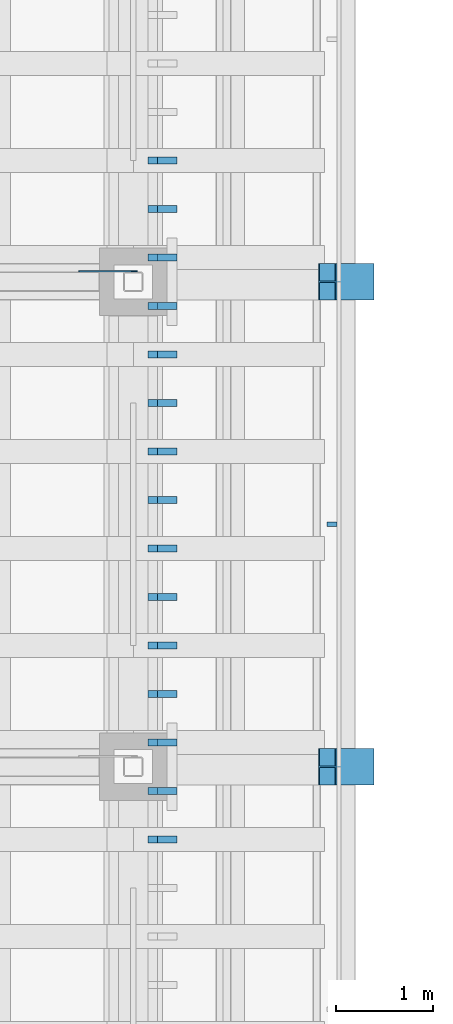
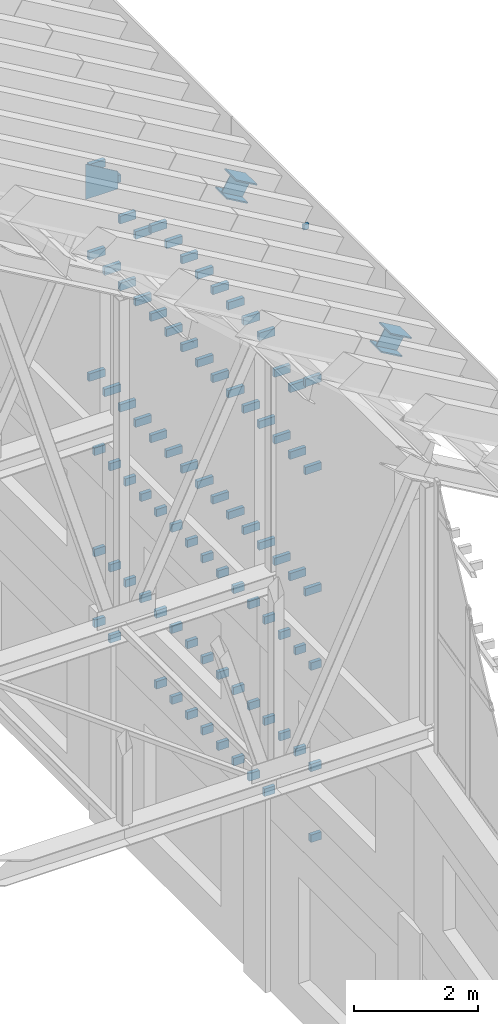
# One storey, part 73 of 105: 90 discrete accessories.
"""IFC4 building model written with IfcOpenShell, lengths in metres."""

from ifc_helpers import new_model, si_unit, direction, frame, origin, origin_2d, place, context, subcontext, project, spatial, polyline, rectangle, i_section, outline, extrude, material, material_profile, profile_set, type_object, element, save


model = new_model("IFC4")

# Units and contexts
model_context = context("Model", 3, precision=1e-05, world=origin(), true_north=direction((0.0, 1.0)))
body_context = subcontext(model_context, "Body", "Model", "MODEL_VIEW")
ifc_project = project(units=[si_unit("LENGTHUNIT", "METRE"), si_unit("AREAUNIT", "SQUARE_METRE"), si_unit("VOLUMEUNIT", "CUBIC_METRE"), si_unit("PLANEANGLEUNIT", "RADIAN"), si_unit("MASSUNIT", "GRAM", prefix="KILO")], contexts=[model_context])

# Site, building, storey
site_placement = place(None, origin())
site = spatial("IfcSite", under=ifc_project, at=site_placement, CompositionType="ELEMENT")
building_placement = place(site_placement, origin())
building = spatial("IfcBuilding", under=site, at=building_placement, Name="Wasatch Bagh Community Centre", CompositionType="ELEMENT")
storey_placement = place(building_placement, frame((0.0, 0.0, 16.800048828125)))
storey = spatial("IfcBuildingStorey", under=building, at=storey_placement, Name="L04", CompositionType="ELEMENT", Elevation=16.800048828125)

# Discrete accessories
ifc_material_1 = material(Name="ASTM A36 steel", Category="steel")
discrete_accessory_type_1 = type_object("IfcDiscreteAccessoryType", Name="MH fascia bracket", PredefinedType="BRACKET", material=ifc_material_1)
discrete_accessory_1_placement = place(storey_placement, frame((56.800048828125, 42.5, 12.537353515625), z_axis=(0.0, 0.0, 1.0), x_axis=(1.0, 0.0, 0.0)))
element("IfcDiscreteAccessory", 1, at=discrete_accessory_1_placement, inside=storey, type_object=discrete_accessory_type_1, Name="Fascia bracket 165", PredefinedType="BRACKET", context=body_context, shape_type="SweptSolid", body=[
    extrude(rectangle(XDim=0.10009765625, YDim=0.050048828125, at=origin_2d()), origin(), (0.0, 0.0, 1.0), 0.10009765625),
])
discrete_accessory_type_2 = type_object("IfcDiscreteAccessoryType", Name="MH fin bracket", PredefinedType="BRACKET", material=ifc_material_1)
for number, where, z_axis, x_axis, name in (
    (2, (55.10009765625, 39.25, 3.02490234375), (0.0, 0.0, 1.0), (0.0, 1.0, 0.0), "Fin bracket 13.9.4"),
    (3, (55.10009765625, 39.25, 4.425048828125), (0.0, 0.0, 1.0), (0.0, 1.0, 0.0), "Fin bracket 13.9.5"),
    (4, (55.10009765625, 39.25, 6.425048828125), (0.0, 0.0, 1.0), (0.0, 1.0, 0.0), "Fin bracket 13.9.6"),
    (5, (55.10009765625, 39.75, 4.425048828125), (0.0, 0.0, 1.0), (0.0, 1.0, 0.0), "Fin bracket 13.10.5"),
    (6, (55.10009765625, 39.75, 6.425048828125), (0.0, 0.0, 1.0), (0.0, 1.0, 0.0), "Fin bracket 13.10.6"),
    (7, (55.10009765625, 40.25, 4.425048828125), (0.0, 0.0, 1.0), (0.0, 1.0, 0.0), "Fin bracket 14.1.5"),
    (8, (55.10009765625, 40.25, 6.425048828125), (0.0, 0.0, 1.0), (0.0, 1.0, 0.0), "Fin bracket 14.1.6"),
    (9, (55.10009765625, 40.75, 3.02490234375), (0.0, 0.0, 1.0), (0.0, 1.0, 0.0), "Fin bracket 14.2.4"),
    (10, (55.10009765625, 40.75, 4.425048828125), (0.0, 0.0, 1.0), (0.0, 1.0, 0.0), "Fin bracket 14.2.5"),
    (11, (55.10009765625, 40.75, 6.425048828125), (0.0, 0.0, 1.0), (0.0, 1.0, 0.0), "Fin bracket 14.2.6"),
    (12, (55.10009765625, 41.25, 3.02490234375), (0.0, 0.0, 1.0), (0.0, 1.0, 0.0), "Fin bracket 14.3.4"),
    (13, (55.10009765625, 41.25, 4.425048828125), (0.0, 0.0, 1.0), (0.0, 1.0, 0.0), "Fin bracket 14.3.5"),
    (14, (55.10009765625, 41.25, 6.425048828125), (0.0, 0.0, 1.0), (0.0, 1.0, 0.0), "Fin bracket 14.3.6"),
    (15, (55.10009765625, 41.75, 3.02490234375), (0.0, 0.0, 1.0), (0.0, 1.0, 0.0), "Fin bracket 14.4.4"),
    (16, (55.10009765625, 41.75, 4.425048828125), (0.0, 0.0, 1.0), (0.0, 1.0, 0.0), "Fin bracket 14.4.5"),
    (17, (55.10009765625, 41.75, 6.425048828125), (0.0, 0.0, 1.0), (0.0, 1.0, 0.0), "Fin bracket 14.4.6"),
    (18, (55.10009765625, 42.25, 3.02490234375), (0.0, 0.0, 1.0), (0.0, 1.0, 0.0), "Fin bracket 14.5.4"),
    (19, (55.10009765625, 42.25, 4.425048828125), (0.0, 0.0, 1.0), (0.0, 1.0, 0.0), "Fin bracket 14.5.5"),
    (20, (55.10009765625, 42.25, 6.425048828125), (0.0, 0.0, 1.0), (0.0, 1.0, 0.0), "Fin bracket 14.5.6"),
    (21, (55.10009765625, 42.75, 3.02490234375), (0.0, 0.0, 1.0), (0.0, 1.0, 0.0), "Fin bracket 14.6.4"),
    (22, (55.10009765625, 42.75, 4.425048828125), (0.0, 0.0, 1.0), (0.0, 1.0, 0.0), "Fin bracket 14.6.5"),
    (23, (55.10009765625, 42.75, 6.425048828125), (0.0, 0.0, 1.0), (0.0, 1.0, 0.0), "Fin bracket 14.6.6"),
    (24, (55.10009765625, 43.25, 3.02490234375), (0.0, 0.0, 1.0), (0.0, 1.0, 0.0), "Fin bracket 14.7.4"),
    (25, (55.10009765625, 43.25, 4.425048828125), (0.0, 0.0, 1.0), (0.0, 1.0, 0.0), "Fin bracket 14.7.5"),
    (26, (55.10009765625, 43.25, 6.425048828125), (0.0, 0.0, 1.0), (0.0, 1.0, 0.0), "Fin bracket 14.7.6"),
    (27, (55.10009765625, 43.75, 3.02490234375), (0.0, 0.0, 1.0), (0.0, 1.0, 0.0), "Fin bracket 14.8.4"),
    (28, (55.10009765625, 43.75, 4.425048828125), (0.0, 0.0, 1.0), (0.0, 1.0, 0.0), "Fin bracket 14.8.5"),
    (29, (55.10009765625, 43.75, 6.425048828125), (0.0, 0.0, 1.0), (0.0, 1.0, 0.0), "Fin bracket 14.8.6"),
    (30, (55.10009765625, 44.25, 3.02490234375), (0.0, 0.0, 1.0), (0.0, 1.0, 0.0), "Fin bracket 14.9.4"),
    (31, (55.10009765625, 44.25, 4.425048828125), (0.0, 0.0, 1.0), (0.0, 1.0, 0.0), "Fin bracket 14.9.5"),
    (32, (55.10009765625, 44.25, 6.425048828125), (0.0, 0.0, 1.0), (0.0, 1.0, 0.0), "Fin bracket 14.9.6"),
    (33, (55.10009765625, 44.75, 4.425048828125), (0.0, 0.0, 1.0), (0.0, 1.0, 0.0), "Fin bracket 14.10.5"),
    (34, (55.10009765625, 44.75, 6.425048828125), (0.0, 0.0, 1.0), (0.0, 1.0, 0.0), "Fin bracket 14.10.6"),
    (35, (55.10009765625, 45.25, 4.425048828125), (0.0, 0.0, 1.0), (0.0, 1.0, 0.0), "Fin bracket 15.1.5"),
    (36, (55.10009765625, 45.25, 6.425048828125), (0.0, 0.0, 1.0), (0.0, 1.0, 0.0), "Fin bracket 15.1.6"),
    (37, (55.10009765625, 45.75, 3.02490234375), (0.0, 0.0, 1.0), (0.0, 1.0, 0.0), "Fin bracket 15.2.4"),
    (38, (55.10009765625, 45.75, 4.425048828125), (0.0, 0.0, 1.0), (0.0, 1.0, 0.0), "Fin bracket 15.2.5"),
    (39, (55.10009765625, 45.75, 6.425048828125), (0.0, 0.0, 1.0), (0.0, 1.0, 0.0), "Fin bracket 15.2.6"),
    (40, (55.10009765625, 46.25, 3.02490234375), (0.0, 0.0, 1.0), (0.0, 1.0, 0.0), "Fin bracket 15.3.4"),
    (41, (55.10009765625, 46.25, 4.425048828125), (0.0, 0.0, 1.0), (0.0, 1.0, 0.0), "Fin bracket 15.3.5"),
    (42, (55.10009765625, 46.25, 6.425048828125), (0.0, 0.0, 1.0), (0.0, 1.0, 0.0), "Fin bracket 15.3.6"),
):
    element("IfcDiscreteAccessory", number, at=place(storey_placement, frame(where, z_axis=z_axis, x_axis=x_axis)), inside=storey, type_object=discrete_accessory_type_2, Name=name, PredefinedType="BRACKET", context=body_context, shape_type="SweptSolid", body=[
        extrude(rectangle(XDim=0.070068359375, YDim=0.199951171875, at=origin_2d()), origin(), (0.0, 0.0, 1.0), 0.14990234375),
    ])
discrete_accessory_type_3 = type_object("IfcDiscreteAccessoryType", Name="MH fin bracket (upstand)", PredefinedType="BRACKET", material=ifc_material_1)
for number, where, z_axis, x_axis, name in (
    (43, (55.050048828125, 39.25, 7.925048828125), (0.0, 0.0, 1.0), (0.0, 1.0, 0.0), "Fin bracket 13.9.7"),
    (44, (55.050048828125, 39.25, 10.324951171875), (0.0, 0.0, 1.0), (0.0, 1.0, 0.0), "Fin bracket 13.9.8"),
    (45, (55.050048828125, 39.25, 12.06494140625), (0.0, 0.0, 1.0), (0.0, 1.0, 0.0), "Fin bracket 13.9.9"),
    (46, (55.050048828125, 39.75, 7.925048828125), (0.0, 0.0, 1.0), (0.0, 1.0, 0.0), "Fin bracket 13.10.7"),
    (47, (55.050048828125, 39.75, 10.324951171875), (0.0, 0.0, 1.0), (0.0, 1.0, 0.0), "Fin bracket 13.10.8"),
    (48, (55.050048828125, 39.75, 11.64501953125), (0.0, 0.0, 1.0), (0.0, 1.0, 0.0), "Fin bracket 13.10.9"),
    (49, (55.050048828125, 40.25, 7.925048828125), (0.0, 0.0, 1.0), (0.0, 1.0, 0.0), "Fin bracket 14.1.7"),
    (50, (55.050048828125, 40.25, 10.324951171875), (0.0, 0.0, 1.0), (0.0, 1.0, 0.0), "Fin bracket 14.1.8"),
    (51, (55.050048828125, 40.25, 11.64501953125), (0.0, 0.0, 1.0), (0.0, 1.0, 0.0), "Fin bracket 14.1.9"),
    (52, (55.050048828125, 40.75, 7.925048828125), (0.0, 0.0, 1.0), (0.0, 1.0, 0.0), "Fin bracket 14.2.7"),
    (53, (55.050048828125, 40.75, 10.324951171875), (0.0, 0.0, 1.0), (0.0, 1.0, 0.0), "Fin bracket 14.2.8"),
    (54, (55.050048828125, 40.75, 12.06494140625), (0.0, 0.0, 1.0), (0.0, 1.0, 0.0), "Fin bracket 14.2.9"),
    (55, (55.050048828125, 41.25, 7.925048828125), (0.0, 0.0, 1.0), (0.0, 1.0, 0.0), "Fin bracket 14.3.7"),
    (56, (55.050048828125, 41.25, 10.324951171875), (0.0, 0.0, 1.0), (0.0, 1.0, 0.0), "Fin bracket 14.3.8"),
    (57, (55.050048828125, 41.25, 12.06494140625), (0.0, 0.0, 1.0), (0.0, 1.0, 0.0), "Fin bracket 14.3.9"),
    (58, (55.050048828125, 41.75, 7.925048828125), (0.0, 0.0, 1.0), (0.0, 1.0, 0.0), "Fin bracket 14.4.7"),
    (59, (55.050048828125, 41.75, 10.324951171875), (0.0, 0.0, 1.0), (0.0, 1.0, 0.0), "Fin bracket 14.4.8"),
    (60, (55.050048828125, 41.75, 12.06494140625), (0.0, 0.0, 1.0), (0.0, 1.0, 0.0), "Fin bracket 14.4.9"),
    (61, (55.050048828125, 42.25, 7.925048828125), (0.0, 0.0, 1.0), (0.0, 1.0, 0.0), "Fin bracket 14.5.7"),
    (62, (55.050048828125, 42.25, 10.324951171875), (0.0, 0.0, 1.0), (0.0, 1.0, 0.0), "Fin bracket 14.5.8"),
    (63, (55.050048828125, 42.25, 12.06494140625), (0.0, 0.0, 1.0), (0.0, 1.0, 0.0), "Fin bracket 14.5.9"),
    (64, (55.050048828125, 42.75, 7.925048828125), (0.0, 0.0, 1.0), (0.0, 1.0, 0.0), "Fin bracket 14.6.7"),
    (65, (55.050048828125, 42.75, 10.324951171875), (0.0, 0.0, 1.0), (0.0, 1.0, 0.0), "Fin bracket 14.6.8"),
    (66, (55.050048828125, 42.75, 12.06494140625), (0.0, 0.0, 1.0), (0.0, 1.0, 0.0), "Fin bracket 14.6.9"),
    (67, (55.050048828125, 43.25, 7.925048828125), (0.0, 0.0, 1.0), (0.0, 1.0, 0.0), "Fin bracket 14.7.7"),
    (68, (55.050048828125, 43.25, 10.324951171875), (0.0, 0.0, 1.0), (0.0, 1.0, 0.0), "Fin bracket 14.7.8"),
    (69, (55.050048828125, 43.25, 12.06494140625), (0.0, 0.0, 1.0), (0.0, 1.0, 0.0), "Fin bracket 14.7.9"),
    (70, (55.050048828125, 43.75, 7.925048828125), (0.0, 0.0, 1.0), (0.0, 1.0, 0.0), "Fin bracket 14.8.7"),
    (71, (55.050048828125, 43.75, 10.324951171875), (0.0, 0.0, 1.0), (0.0, 1.0, 0.0), "Fin bracket 14.8.8"),
    (72, (55.050048828125, 43.75, 12.06494140625), (0.0, 0.0, 1.0), (0.0, 1.0, 0.0), "Fin bracket 14.8.9"),
    (73, (55.050048828125, 44.25, 7.925048828125), (0.0, 0.0, 1.0), (0.0, 1.0, 0.0), "Fin bracket 14.9.7"),
    (74, (55.050048828125, 44.25, 10.324951171875), (0.0, 0.0, 1.0), (0.0, 1.0, 0.0), "Fin bracket 14.9.8"),
    (75, (55.050048828125, 44.25, 12.06494140625), (0.0, 0.0, 1.0), (0.0, 1.0, 0.0), "Fin bracket 14.9.9"),
    (76, (55.050048828125, 44.75, 7.925048828125), (0.0, 0.0, 1.0), (0.0, 1.0, 0.0), "Fin bracket 14.10.7"),
    (77, (55.050048828125, 44.75, 10.324951171875), (0.0, 0.0, 1.0), (0.0, 1.0, 0.0), "Fin bracket 14.10.8"),
    (78, (55.050048828125, 44.75, 11.64501953125), (0.0, 0.0, 1.0), (0.0, 1.0, 0.0), "Fin bracket 14.10.9"),
    (79, (55.050048828125, 45.25, 7.925048828125), (0.0, 0.0, 1.0), (0.0, 1.0, 0.0), "Fin bracket 15.1.7"),
    (80, (55.050048828125, 45.25, 10.324951171875), (0.0, 0.0, 1.0), (0.0, 1.0, 0.0), "Fin bracket 15.1.8"),
    (81, (55.050048828125, 45.25, 11.64501953125), (0.0, 0.0, 1.0), (0.0, 1.0, 0.0), "Fin bracket 15.1.9"),
    (82, (55.050048828125, 45.75, 7.925048828125), (0.0, 0.0, 1.0), (0.0, 1.0, 0.0), "Fin bracket 15.2.7"),
    (83, (55.050048828125, 45.75, 10.324951171875), (0.0, 0.0, 1.0), (0.0, 1.0, 0.0), "Fin bracket 15.2.8"),
    (84, (55.050048828125, 45.75, 12.06494140625), (0.0, 0.0, 1.0), (0.0, 1.0, 0.0), "Fin bracket 15.2.9"),
    (85, (55.050048828125, 46.25, 7.925048828125), (0.0, 0.0, 1.0), (0.0, 1.0, 0.0), "Fin bracket 15.3.7"),
    (86, (55.050048828125, 46.25, 10.324951171875), (0.0, 0.0, 1.0), (0.0, 1.0, 0.0), "Fin bracket 15.3.8"),
    (87, (55.050048828125, 46.25, 12.06494140625), (0.0, 0.0, 1.0), (0.0, 1.0, 0.0), "Fin bracket 15.3.9"),
):
    element("IfcDiscreteAccessory", number, at=place(storey_placement, frame(where, z_axis=z_axis, x_axis=x_axis)), inside=storey, type_object=discrete_accessory_type_3, Name=name, PredefinedType="BRACKET", context=body_context, shape_type="SweptSolid", body=[
        extrude(rectangle(XDim=0.070068359375, YDim=0.300048828125, at=origin_2d()), origin(), (0.0, 0.0, 1.0), 0.14990234375),
    ])
ifc_material_2 = material(Name="ASTM A992 Grade 50 steel", Category="steel")
ifc_material_profile = material_profile(ifc_material_2, i_section(OverallWidth=0.373291015625, OverallDepth=0.368408203125, WebThickness=0.014892578125, FlangeThickness=0.02392578125, at=origin_2d()), Name="W14x120")
ifc_profile_set = profile_set([ifc_material_profile], Name="ASTM A992 Grade 50 steel")
discrete_accessory_type_4 = type_object("IfcDiscreteAccessoryType", Name="MH steel truss tail W14x120", PredefinedType="BRACKET", material=ifc_profile_set)
for number, where, z_axis, x_axis, name in (
    (88, (56.75, 40.0, 11.925048828125), (0.866131372301, 0.0, -0.499816412211), (0.0, 1.0, 0.0), "Truss tail TA2"),
    (89, (56.75, 45.0, 11.925048828125), (0.866131372301, 0.0, -0.499816412211), (0.0, 1.0, 0.0), "Truss tail TA3"),
):
    element("IfcDiscreteAccessory", number, at=place(storey_placement, frame(where, z_axis=z_axis, x_axis=x_axis)), inside=storey, type_object=discrete_accessory_type_4, Name=name, PredefinedType="BRACKET", context=body_context, shape_type="SweptSolid", body=[
        extrude(i_section(OverallWidth=0.373291015625, OverallDepth=0.368408203125, WebThickness=0.014892578125, FlangeThickness=0.02392578125, at=origin_2d()), origin(), (0.0, 0.0, 1.0), 0.449951171875),
    ])
discrete_accessory_2_placement = place(storey_placement, frame((54.190673828125, 45.114013671875, 13.148193359375), z_axis=(0.0, 1.0, 0.0), x_axis=(0.863026486211, 0.0, -0.505158672199)))
element("IfcDiscreteAccessory", 90, at=discrete_accessory_2_placement, inside=storey, Name="Gusset plate", PredefinedType="BRACKET", context=body_context, shape_type="SweptSolid", body=[
    extrude(outline(polyline([(0.0, 0.0), (0.6480985008127054, 5.551115123125783e-17), (0.6951609877723173, 0.00017584376551971204), (0.8718925251897516, 0.3021086940439254), (0.35420305335859825, 0.605129899511222), (0.0, 0.0)])), origin(), (0.0, 0.0, -1.0), 0.011962890625),
])

save(model, "model.ifc")
